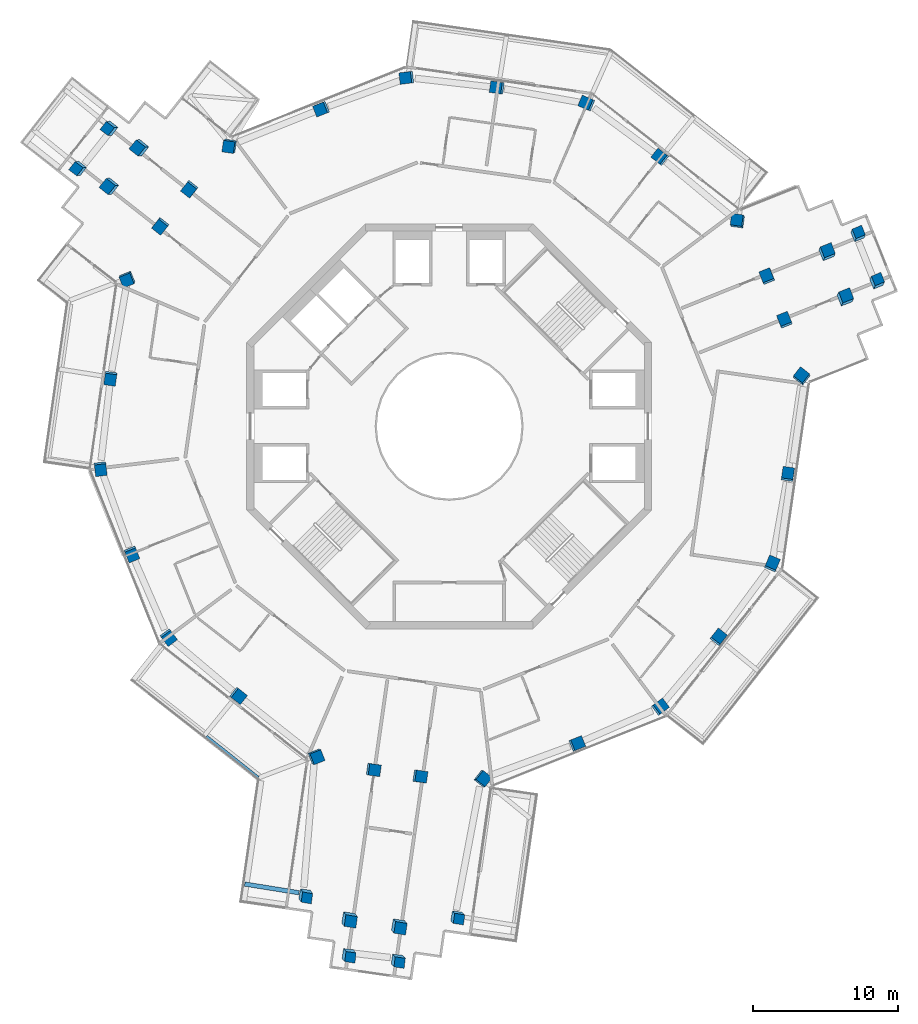
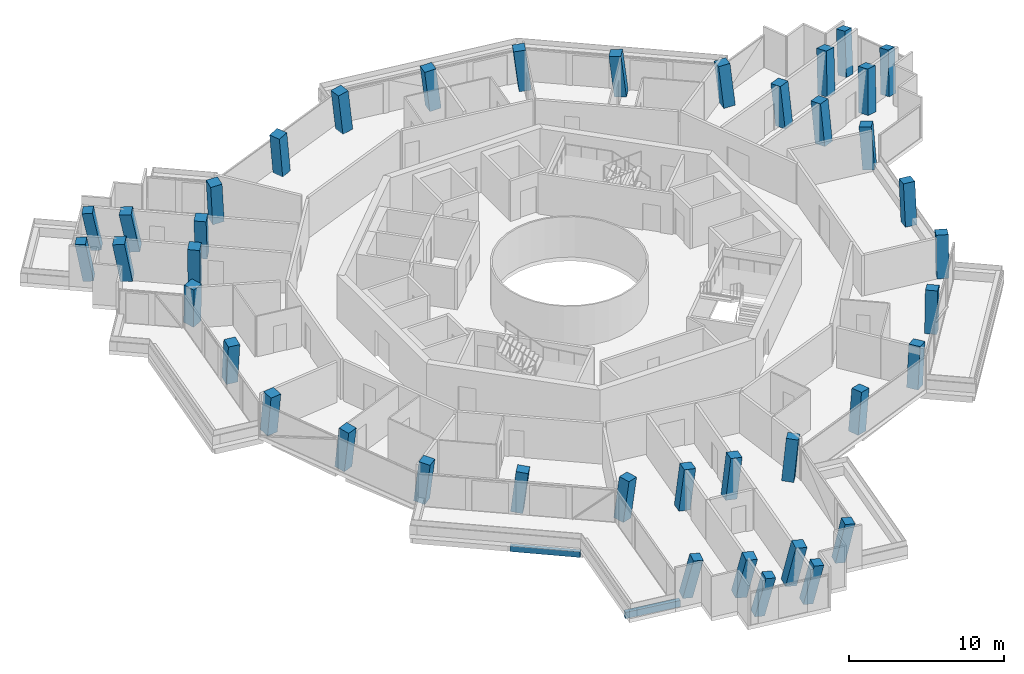
# One storey, part 1 of 23: 41 columns, 2 beams.
"""IFC4 building model written with IfcOpenShell, lengths in metres."""

from ifc_helpers import new_model, si_unit, direction, frame, origin, origin_2d, place, context, subcontext, project, spatial, rectangle, extrude, material, material_profile, profile_set, type_object, element, save


model = new_model("IFC4")

# Units and contexts
model_context = context("Model", 3, precision=1e-05, world=origin(), true_north=direction((0.0, 1.0)))
body_context = subcontext(model_context, "Body", "Model", "MODEL_VIEW")
ifc_project = project(units=[si_unit("LENGTHUNIT", "METRE"), si_unit("AREAUNIT", "SQUARE_METRE"), si_unit("VOLUMEUNIT", "CUBIC_METRE"), si_unit("PLANEANGLEUNIT", "RADIAN"), si_unit("MASSUNIT", "GRAM", prefix="KILO")], contexts=[model_context])

# Site, building, storey
site_placement = place(None, origin())
site = spatial("IfcSite", under=ifc_project, at=site_placement, CompositionType="ELEMENT")
building_placement = place(site_placement, origin())
building = spatial("IfcBuilding", under=site, at=building_placement, Name="Verdalira Terraces Hotel", CompositionType="ELEMENT")
storey_placement = place(building_placement, frame((0.0, 0.0, 244.5)))
storey = spatial("IfcBuildingStorey", under=building, at=storey_placement, Name="L60", CompositionType="ELEMENT", Elevation=244.5)

# Columns
ifc_material_1 = material(Name="Concrete C50", Category="concrete")
ifc_material_profile_1 = material_profile(ifc_material_1, rectangle(XDim=0.699951, YDim=0.699951, at=origin_2d()), Name="RC 700X700")
ifc_profile_set_1 = profile_set([ifc_material_profile_1], Name="Concrete C50")
column_type_1 = type_object("IfcColumnType", Name="Column RC 700X700 C50", PredefinedType="COLUMN", material=ifc_profile_set_1)
column_1_placement = place(storey_placement, frame((-9.996826, -32.378174, 0.0), z_axis=(0.132373241, -0.193016407, 0.972225278), x_axis=(-0.167324283, -0.971131666, -0.170017269)))
element("IfcColumn", 1, at=column_1_placement, inside=storey, type_object=column_type_1, Name="Column C08", PredefinedType="COLUMN", context=body_context, shape_type="SweptSolid", body=[
    extrude(rectangle(XDim=0.699951, YDim=0.699951, at=origin_2d()), origin(), (0.0, 0.0, 1.0), 3.281006),
])
column_2_placement = place(storey_placement, frame((-7.012207, -36.503418, 0.0), z_axis=(0.151479337, -0.179007507, 0.972116414), x_axis=(0.978458629, -0.11239575, -0.173164392)))
element("IfcColumn", 2, at=column_2_placement, inside=storey, type_object=column_type_1, Name="Column C09", PredefinedType="COLUMN", context=body_context, shape_type="SweptSolid", body=[
    extrude(rectangle(XDim=0.699951, YDim=0.699951, at=origin_2d()), origin(), (0.0, 0.0, 1.0), 3.281494),
])
column_3_placement = place(storey_placement, frame((-3.612793, -36.889893, 0.0), z_axis=(0.153567333, -0.163561516, 0.974507417), x_axis=(0.978108162, -0.114997382, -0.173435938)))
element("IfcColumn", 3, at=column_3_placement, inside=storey, type_object=column_type_1, Name="Column C10", PredefinedType="COLUMN", context=body_context, shape_type="SweptSolid", body=[
    extrude(rectangle(XDim=0.699951, YDim=0.699951, at=origin_2d()), origin(), (0.0, 0.0, 1.0), 3.273438),
])
column_4_placement = place(storey_placement, frame((0.512695, -33.905273, 0.0), z_axis=(0.140176069, -0.14512346, 0.979433434), x_axis=(0.160355886, 0.979468419, 0.122178582)))
element("IfcColumn", 4, at=column_4_placement, inside=storey, type_object=column_type_1, Name="Column C11", PredefinedType="COLUMN", context=body_context, shape_type="SweptSolid", body=[
    extrude(rectangle(XDim=0.699951, YDim=0.699951, at=origin_2d()), origin(), (0.0, 0.0, 1.0), 3.256836),
])
column_5_placement = place(storey_placement, frame((29.549805, 9.947021, 0.0), z_axis=(0.090207572, 0.195661495, 0.976513786), x_axis=(-0.389782936, 0.909231881, -0.146173355)))
element("IfcColumn", 5, at=column_5_placement, inside=storey, type_object=column_type_1, Name="Column C19", PredefinedType="COLUMN", context=body_context, shape_type="SweptSolid", body=[
    extrude(rectangle(XDim=0.699951, YDim=0.699951, at=origin_2d()), origin(), (0.0, 0.0, 1.0), 3.266602),
])
column_6_placement = place(storey_placement, frame((28.240234, 13.214111, 0.0), z_axis=(0.075219253, 0.189996041, 0.978899161), x_axis=(-0.387582184, 0.910062706, -0.146853399)))
element("IfcColumn", 6, at=column_6_placement, inside=storey, type_object=column_type_1, Name="Column C20", PredefinedType="COLUMN", context=body_context, shape_type="SweptSolid", body=[
    extrude(rectangle(XDim=0.699951, YDim=0.699951, at=origin_2d()), origin(), (0.0, 0.0, 1.0), 3.258789),
])
column_7_placement = place(storey_placement, frame((-23.38916, 20.617188, 0.0), z_axis=(-0.214569337, -0.019655777, 0.976510957), x_axis=(-0.592724223, -0.792028285, -0.146182051)))
element("IfcColumn", 7, at=column_7_placement, inside=storey, type_object=column_type_1, Name="Column C28", PredefinedType="COLUMN", context=body_context, shape_type="SweptSolid", body=[
    extrude(rectangle(XDim=0.699951, YDim=0.699951, at=origin_2d()), origin(), (0.0, 0.0, 1.0), 3.266602),
])
column_8_placement = place(storey_placement, frame((-25.563965, 17.849609, 0.0), z_axis=(-0.202062118, -0.029818585, 0.978918665), x_axis=(-0.594454099, -0.790618823, -0.146786239)))
element("IfcColumn", 8, at=column_8_placement, inside=storey, type_object=column_type_1, Name="Column C29", PredefinedType="COLUMN", context=body_context, shape_type="SweptSolid", body=[
    extrude(rectangle(XDim=0.699951, YDim=0.699951, at=origin_2d()), origin(), (0.0, 0.0, 1.0), 3.258545),
])
ifc_material_2 = material(Name="Concrete C50", Category="concrete")
ifc_material_profile_2 = material_profile(ifc_material_2, rectangle(XDim=0.800049, YDim=0.800049, at=origin_2d()), Name="RC 800X800")
ifc_profile_set_2 = profile_set([ifc_material_profile_2], Name="Concrete C50")
column_type_2 = type_object("IfcColumnType", Name="Column RC 800X800 C50", PredefinedType="COLUMN", material=ifc_profile_set_2)
column_9_placement = place(storey_placement, frame((-22.25415, 10.212402, 0.0), z_axis=(-0.047660962, -0.106191967, 0.993202748), x_axis=(-0.377087082, 0.92266798, 0.080555148)))
element("IfcColumn", 9, at=column_9_placement, inside=storey, type_object=column_type_2, Name="Column C01", PredefinedType="COLUMN", context=body_context, shape_type="SweptSolid", body=[
    extrude(rectangle(XDim=0.800049, YDim=0.800049, at=origin_2d()), origin(), (0.0, 0.0, 1.0), 3.21167),
])
column_10_placement = place(storey_placement, frame((-23.418701, 3.35791, 0.0), z_axis=(-0.015057634, -0.111487333, 0.993651771), x_axis=(-0.141347432, -0.98354748, -0.112495591)))
element("IfcColumn", 10, at=column_10_placement, inside=storey, type_object=column_type_2, Name="Column C02", PredefinedType="COLUMN", context=body_context, shape_type="SweptSolid", body=[
    extrude(rectangle(XDim=0.800049, YDim=0.800049, at=origin_2d()), origin(), (0.0, 0.0, 1.0), 3.210205),
])
column_11_placement = place(storey_placement, frame((-24.113037, -2.892334, 0.0), z_axis=(0.014748309, -0.114565473, 0.993306217), x_axis=(-0.118455501, 0.986218273, 0.115506758)))
element("IfcColumn", 11, at=column_11_placement, inside=storey, type_object=column_type_2, Name="Column C03", PredefinedType="COLUMN", context=body_context, shape_type="SweptSolid", body=[
    extrude(rectangle(XDim=0.800049, YDim=0.800049, at=origin_2d()), origin(), (0.0, 0.0, 1.0), 3.211426),
])
column_12_placement = place(storey_placement, frame((-21.960205, -8.80127, 0.0), z_axis=(0.042739143, -0.104110118, 0.993647044), x_axis=(0.369538016, -0.922375739, -0.11253733)))
element("IfcColumn", 12, at=column_12_placement, inside=storey, type_object=column_type_2, Name="Column C04", PredefinedType="COLUMN", context=body_context, shape_type="SweptSolid", body=[
    extrude(rectangle(XDim=0.800049, YDim=0.800049, at=origin_2d()), origin(), (0.0, 0.0, 1.0), 3.210449),
])
column_13_placement = place(storey_placement, frame((-19.436279, -14.561279, 0.0), z_axis=(0.070016696, -0.091835145, 0.993309604), x_axis=(-0.595516736, 0.794999833, 0.11547763)))
element("IfcColumn", 13, at=column_13_placement, inside=storey, type_object=column_type_2, Name="Column C05", PredefinedType="COLUMN", context=body_context, shape_type="SweptSolid", body=[
    extrude(rectangle(XDim=0.800049, YDim=0.800049, at=origin_2d()), origin(), (0.0, 0.0, 1.0), 3.211426),
])
column_14_placement = place(storey_placement, frame((-14.617432, -18.602295, 0.0), z_axis=(0.089052954, -0.068747968, 0.993651492), x_axis=(0.781361755, -0.613855028, -0.112498053)))
element("IfcColumn", 14, at=column_14_placement, inside=storey, type_object=column_type_2, Name="Column C06", PredefinedType="COLUMN", context=body_context, shape_type="SweptSolid", body=[
    extrude(rectangle(XDim=0.800049, YDim=0.800049, at=origin_2d()), origin(), (0.0, 0.0, 1.0), 3.210205),
])
for number, where, z_axis, x_axis, name in (
    (15, (-9.234375, -22.83252, 0.0), (0.108919678, -0.042944605, 0.993122482), (-0.364795572, 0.92763396, 0.080121326), "Column C07"),
    (16, (2.282715, -24.378906, 0.0), (0.115845054, 0.011858155, 0.99319651), (-0.610285888, -0.788071106, 0.080591978), "Column C12"),
):
    element("IfcColumn", number, at=place(storey_placement, frame(where, z_axis=z_axis, x_axis=x_axis)), inside=storey, type_object=column_type_2, Name=name, PredefinedType="COLUMN", context=body_context, shape_type="SweptSolid", body=[
        extrude(rectangle(XDim=0.800049, YDim=0.800049, at=origin_2d()), origin(), (0.0, 0.0, 1.0), 3.211914),
    ])
column_15_placement = place(storey_placement, frame((8.80127, -21.960205, 0.0), z_axis=(0.104110118, 0.042739143, 0.993647044), x_axis=(0.922375739, 0.369538016, -0.11253733)))
element("IfcColumn", 17, at=column_15_placement, inside=storey, type_object=column_type_2, Name="Column C13", PredefinedType="COLUMN", context=body_context, shape_type="SweptSolid", body=[
    extrude(rectangle(XDim=0.800049, YDim=0.800049, at=origin_2d()), origin(), (0.0, 0.0, 1.0), 3.210449),
])
column_16_placement = place(storey_placement, frame((14.561279, -19.436279, 0.0), z_axis=(0.091835145, 0.070016696, 0.993309604), x_axis=(-0.794999833, -0.595516736, 0.11547763)))
element("IfcColumn", 18, at=column_16_placement, inside=storey, type_object=column_type_2, Name="Column C14", PredefinedType="COLUMN", context=body_context, shape_type="SweptSolid", body=[
    extrude(rectangle(XDim=0.800049, YDim=0.800049, at=origin_2d()), origin(), (0.0, 0.0, 1.0), 3.211426),
])
column_17_placement = place(storey_placement, frame((18.602295, -14.617432, 0.0), z_axis=(0.068747968, 0.089052954, 0.993651492), x_axis=(0.613855028, 0.781361755, -0.112498053)))
element("IfcColumn", 19, at=column_17_placement, inside=storey, type_object=column_type_2, Name="Column C15", PredefinedType="COLUMN", context=body_context, shape_type="SweptSolid", body=[
    extrude(rectangle(XDim=0.800049, YDim=0.800049, at=origin_2d()), origin(), (0.0, 0.0, 1.0), 3.210205),
])
column_18_placement = place(storey_placement, frame((22.328613, -9.551514, 0.0), z_axis=(0.044549336, 0.106507884, 0.993313358), x_axis=(-0.391063778, -0.913094462, 0.115445333)))
element("IfcColumn", 20, at=column_18_placement, inside=storey, type_object=column_type_2, Name="Column C16", PredefinedType="COLUMN", context=body_context, shape_type="SweptSolid", body=[
    extrude(rectangle(XDim=0.800049, YDim=0.800049, at=origin_2d()), origin(), (0.0, 0.0, 1.0), 3.211426),
])
column_19_placement = place(storey_placement, frame((23.418701, -3.35791, 0.0), z_axis=(0.015057634, 0.111487333, 0.993651771), x_axis=(0.141347432, 0.98354748, -0.112495591)))
element("IfcColumn", 21, at=column_19_placement, inside=storey, type_object=column_type_2, Name="Column C17", PredefinedType="COLUMN", context=body_context, shape_type="SweptSolid", body=[
    extrude(rectangle(XDim=0.800049, YDim=0.800049, at=origin_2d()), origin(), (0.0, 0.0, 1.0), 3.210205),
])
column_20_placement = place(storey_placement, frame((24.390625, 3.419189, 0.0), z_axis=(-0.017253932, 0.115760966, 0.993127233), x_axis=(-0.621015876, -0.779694988, 0.080093744)))
element("IfcColumn", 22, at=column_20_placement, inside=storey, type_object=column_type_2, Name="Column C18", PredefinedType="COLUMN", context=body_context, shape_type="SweptSolid", body=[
    extrude(rectangle(XDim=0.800049, YDim=0.800049, at=origin_2d()), origin(), (0.0, 0.0, 1.0), 3.211914),
])
column_21_placement = place(storey_placement, frame((19.971191, 14.166504, 0.0), z_axis=(-0.068109169, 0.094334239, 0.993208031), x_axis=(0.987601162, -0.13475845, 0.080523946)))
element("IfcColumn", 23, at=column_21_placement, inside=storey, type_object=column_type_2, Name="Column C21", PredefinedType="COLUMN", context=body_context, shape_type="SweptSolid", body=[
    extrude(rectangle(XDim=0.800049, YDim=0.800049, at=origin_2d()), origin(), (0.0, 0.0, 1.0), 3.21167),
])
column_22_placement = place(storey_placement, frame((14.617432, 18.602295, 0.0), z_axis=(-0.089052954, 0.068747968, 0.993651492), x_axis=(-0.781361755, 0.613855028, -0.112498053)))
element("IfcColumn", 24, at=column_22_placement, inside=storey, type_object=column_type_2, Name="Column C22", PredefinedType="COLUMN", context=body_context, shape_type="SweptSolid", body=[
    extrude(rectangle(XDim=0.800049, YDim=0.800049, at=origin_2d()), origin(), (0.0, 0.0, 1.0), 3.210205),
])
column_23_placement = place(storey_placement, frame((9.551514, 22.328613, 0.0), z_axis=(-0.106507884, 0.044549336, 0.993313358), x_axis=(0.913094462, -0.391063778, 0.115445333)))
element("IfcColumn", 25, at=column_23_placement, inside=storey, type_object=column_type_2, Name="Column C23", PredefinedType="COLUMN", context=body_context, shape_type="SweptSolid", body=[
    extrude(rectangle(XDim=0.800049, YDim=0.800049, at=origin_2d()), origin(), (0.0, 0.0, 1.0), 3.211426),
])
column_24_placement = place(storey_placement, frame((3.35791, 23.418701, 0.0), z_axis=(-0.111487333, 0.015057634, 0.993651771), x_axis=(-0.98354748, 0.141347432, -0.112495591)))
element("IfcColumn", 26, at=column_24_placement, inside=storey, type_object=column_type_2, Name="Column C24", PredefinedType="COLUMN", context=body_context, shape_type="SweptSolid", body=[
    extrude(rectangle(XDim=0.800049, YDim=0.800049, at=origin_2d()), origin(), (0.0, 0.0, 1.0), 3.210205),
])
column_25_placement = place(storey_placement, frame((-2.892334, 24.113037, 0.0), z_axis=(-0.114565473, -0.014748309, 0.993306217), x_axis=(0.986218273, 0.118455501, 0.115506758)))
element("IfcColumn", 27, at=column_25_placement, inside=storey, type_object=column_type_2, Name="Column C25", PredefinedType="COLUMN", context=body_context, shape_type="SweptSolid", body=[
    extrude(rectangle(XDim=0.800049, YDim=0.800049, at=origin_2d()), origin(), (0.0, 0.0, 1.0), 3.211426),
])
column_26_placement = place(storey_placement, frame((-8.80127, 21.960205, 0.0), z_axis=(-0.104110118, -0.042739143, 0.993647044), x_axis=(-0.922375739, -0.369538016, -0.11253733)))
element("IfcColumn", 28, at=column_26_placement, inside=storey, type_object=column_type_2, Name="Column C26", PredefinedType="COLUMN", context=body_context, shape_type="SweptSolid", body=[
    extrude(rectangle(XDim=0.800049, YDim=0.800049, at=origin_2d()), origin(), (0.0, 0.0, 1.0), 3.210449),
])
column_27_placement = place(storey_placement, frame((-15.15625, 19.41333, 0.0), z_axis=(-0.091665964, -0.072815915, 0.993123957), x_axis=(0.985702737, -0.148229751, 0.080112766)))
element("IfcColumn", 29, at=column_27_placement, inside=storey, type_object=column_type_2, Name="Column C27", PredefinedType="COLUMN", context=body_context, shape_type="SweptSolid", body=[
    extrude(rectangle(XDim=0.800049, YDim=0.800049, at=origin_2d()), origin(), (0.0, 0.0, 1.0), 3.211914),
])
for number, where, z_axis, x_axis, name in (
    (30, (-17.927002, 16.447998, 0.0), (-0.077465162, -0.085903467, 0.993287342), (-0.785843838, 0.618375702, -0.007807311), "Column C30"),
    (31, (-19.938965, 13.887451, 0.0), (-0.065302757, -0.095331382, 0.993301303), (-0.786437805, 0.617623047, 0.007573031), "Column C31"),
):
    element("IfcColumn", number, at=place(storey_placement, frame(where, z_axis=z_axis, x_axis=x_axis)), inside=storey, type_object=column_type_2, Name=name, PredefinedType="COLUMN", context=body_context, shape_type="SweptSolid", body=[
        extrude(rectangle(XDim=0.800049, YDim=0.800049, at=origin_2d()), origin(), (0.0, 0.0, 1.0), 3.211426),
    ])
column_28_placement = place(storey_placement, frame((-21.322998, 19.265137, 0.0), z_axis=(-0.208670132, -0.009954493, 0.977935419), x_axis=(-0.762796493, 0.627445325, -0.156377345)))
element("IfcColumn", 32, at=column_28_placement, inside=storey, type_object=column_type_2, Name="Column C32", PredefinedType="COLUMN", context=body_context, shape_type="SweptSolid", body=[
    extrude(rectangle(XDim=0.800049, YDim=0.800049, at=origin_2d()), origin(), (0.0, 0.0, 1.0), 3.261963),
])
column_29_placement = place(storey_placement, frame((-23.407227, 16.612793, 0.0), z_axis=(-0.196640609, -0.019731583, 0.980277071), x_axis=(-0.766214476, 0.626906187, -0.141081572)))
element("IfcColumn", 33, at=column_29_placement, inside=storey, type_object=column_type_2, Name="Column C33", PredefinedType="COLUMN", context=body_context, shape_type="SweptSolid", body=[
    extrude(rectangle(XDim=0.800049, YDim=0.800049, at=origin_2d()), origin(), (0.0, 0.0, 1.0), 3.25415),
])
for number, where, z_axis, x_axis, name in (
    (34, (-5.280762, -23.749268, 0.0), (0.113118899, -0.024174603, 0.993287322), (-0.142952764, -0.989698718, -0.007807323), "Column C34"),
    (35, (-2.057373, -24.211426, 0.0), (0.115173652, -0.008818577, 0.993306228), (-0.141088617, -0.989968026, 0.007570256), "Column C35"),
):
    element("IfcColumn", number, at=place(storey_placement, frame(where, z_axis=z_axis, x_axis=x_axis)), inside=storey, type_object=column_type_2, Name=name, PredefinedType="COLUMN", context=body_context, shape_type="SweptSolid", body=[
        extrude(rectangle(XDim=0.800049, YDim=0.800049, at=origin_2d()), origin(), (0.0, 0.0, 1.0), 3.211426),
    ])
column_30_placement = place(storey_placement, frame((-6.973877, -34.023682, 0.0), z_axis=(0.140184897, -0.179236937, 0.973767074), x_axis=(-0.166179692, -0.973786888, -0.155317118)))
element("IfcColumn", 36, at=column_30_placement, inside=storey, type_object=column_type_2, Name="Column C36", PredefinedType="COLUMN", context=body_context, shape_type="SweptSolid", body=[
    extrude(rectangle(XDim=0.800049, YDim=0.800049, at=origin_2d()), origin(), (0.0, 0.0, 1.0), 3.275879),
])
column_31_placement = place(storey_placement, frame((-3.534912, -34.516846, 0.0), z_axis=(0.142623082, -0.16354213, 0.976172438), x_axis=(-0.164019391, -0.976524002, -0.139637075)))
element("IfcColumn", 37, at=column_31_placement, inside=storey, type_object=column_type_2, Name="Column C37", PredefinedType="COLUMN", context=body_context, shape_type="SweptSolid", body=[
    extrude(rectangle(XDim=0.800049, YDim=0.800049, at=origin_2d()), origin(), (0.0, 0.0, 1.0), 3.267822),
])
for number, where, z_axis, x_axis, name in (
    (38, (23.207764, 7.30127, 0.0), (-0.035577671, 0.110077922, 0.993286001), (0.928747242, 0.370631344, -0.007808088), "Column C38"),
    (39, (21.996338, 10.323975, 0.0), (-0.049946217, 0.104225668, 0.993298739), (0.927993607, 0.372519117, 0.007574475), "Column C39"),
):
    element("IfcColumn", number, at=place(storey_placement, frame(where, z_axis=z_axis, x_axis=x_axis)), inside=storey, type_object=column_type_2, Name=name, PredefinedType="COLUMN", context=body_context, shape_type="SweptSolid", body=[
        extrude(rectangle(XDim=0.800049, YDim=0.800049, at=origin_2d()), origin(), (0.0, 0.0, 1.0), 3.211426),
    ])
column_32_placement = place(storey_placement, frame((27.345703, 8.833496, 0.0), z_axis=(0.095652155, 0.185765765, 0.97792727), x_axis=(0.924630414, 0.34726905, -0.156405897)))
element("IfcColumn", 40, at=column_32_placement, inside=storey, type_object=column_type_2, Name="Column C40", PredefinedType="COLUMN", context=body_context, shape_type="SweptSolid", body=[
    extrude(rectangle(XDim=0.800049, YDim=0.800049, at=origin_2d()), origin(), (0.0, 0.0, 1.0), 3.261963),
])
column_33_placement = place(storey_placement, frame((26.09082, 11.964844, 0.0), z_axis=(0.081251268, 0.180208259, 0.98026691), x_axis=(0.926017642, 0.350110219, -0.141117546)))
element("IfcColumn", 41, at=column_33_placement, inside=storey, type_object=column_type_2, Name="Column C41", PredefinedType="COLUMN", context=body_context, shape_type="SweptSolid", body=[
    extrude(rectangle(XDim=0.800049, YDim=0.800049, at=origin_2d()), origin(), (0.0, 0.0, 1.0), 3.25415),
])

# Beams
ifc_material_3 = material(Name="Concrete C40", Category="concrete")
ifc_material_profile_3 = material_profile(ifc_material_3, rectangle(XDim=0.300049, YDim=0.5, at=origin_2d()), Name="RC 300X500")
ifc_profile_set_3 = profile_set([ifc_material_profile_3], Name="Concrete C40")
beam_type_1 = type_object("IfcBeamType", Name="Balcony cantilever beam RC 300X500 C40", PredefinedType="BEAM", material=ifc_profile_set_3)
beam_1_placement = place(storey_placement, frame((-10.382812, -32.260254, -0.560059), z_axis=(-0.98736197, 0.158481357, 0.0), x_axis=(-0.158481357, -0.98736197, 0.0)))
element("IfcBeam", 42, at=beam_1_placement, inside=storey, type_object=beam_type_1, Name="Balcony cantilever beam R13-1", PredefinedType="BEAM", context=body_context, shape_type="SweptSolid", body=[
    extrude(rectangle(XDim=0.300049, YDim=0.5, at=origin_2d()), origin(), (0.0, 0.0, 1.0), 3.802002),
])
ifc_material_4 = material(Name="Concrete C40", Category="concrete")
ifc_material_profile_4 = material_profile(ifc_material_4, rectangle(XDim=0.25, YDim=0.449951, at=origin_2d()), Name="RC 250X450")
ifc_profile_set_4 = profile_set([ifc_material_profile_4], Name="Concrete C40")
beam_type_2 = type_object("IfcBeamType", Name="Balcony edge beam RC 250X450 C40", PredefinedType="BEAM", material=ifc_profile_set_4)
beam_2_placement = place(storey_placement, frame((-16.799561, -21.467285, -0.534912), z_axis=(0.782553897, -0.622582845, 0.0), x_axis=(0.622582845, 0.782553897, 0.0)))
element("IfcBeam", 43, at=beam_2_placement, inside=storey, type_object=beam_type_2, Name="Balcony edge beam R13-2", PredefinedType="BEAM", context=body_context, shape_type="SweptSolid", body=[
    extrude(rectangle(XDim=0.25, YDim=0.449951, at=origin_2d()), origin(), (0.0, 0.0, 1.0), 4.586182),
])

save(model, "model.ifc")
